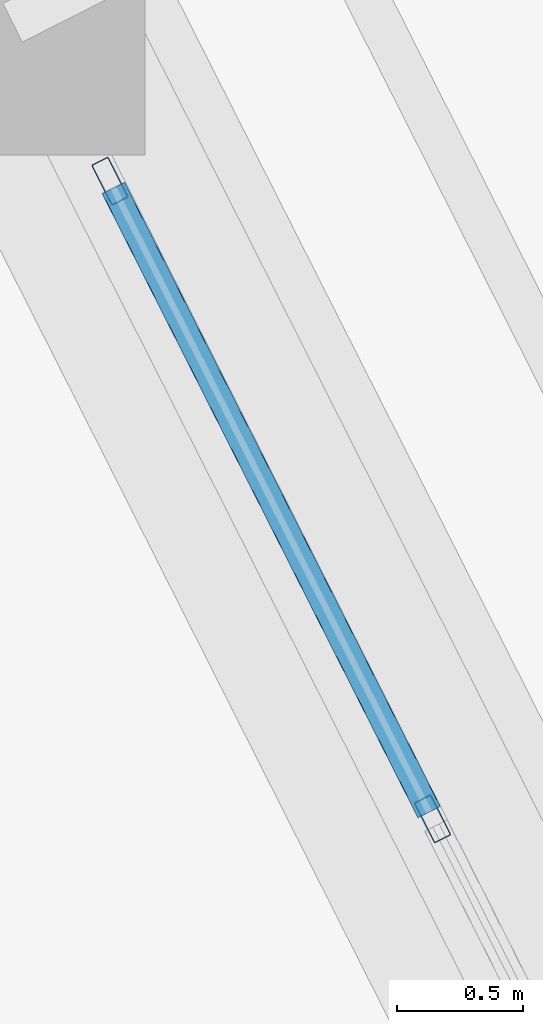
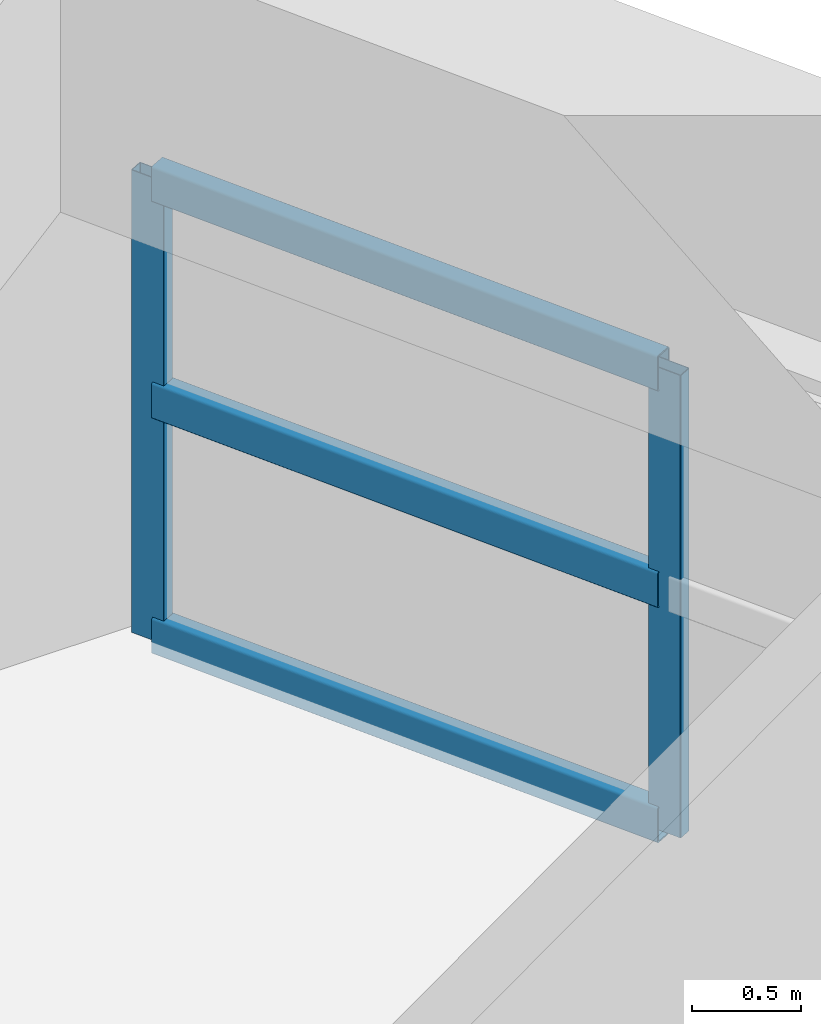
# One storey, part 10 of 23: 5 members, 1 element without a shape of its own.
"""IFC4 building model written with IfcOpenShell, lengths in metres."""

from ifc_helpers import new_model, si_unit, direction, frame, origin, origin_2d, place, context, subcontext, project, spatial, hollow_rectangle, extrude, material, layer, layer_set, material_profile, profile_set, type_object, element, aggregate, save


model = new_model("IFC4")

# Units and contexts
model_context = context("Model", 3, precision=1e-05, world=origin(), true_north=direction((0.0, 1.0)))
body_context = subcontext(model_context, "Body", "Model", "MODEL_VIEW")
ifc_project = project(units=[si_unit("LENGTHUNIT", "METRE"), si_unit("AREAUNIT", "SQUARE_METRE"), si_unit("VOLUMEUNIT", "CUBIC_METRE"), si_unit("PLANEANGLEUNIT", "RADIAN"), si_unit("MASSUNIT", "GRAM", prefix="KILO")], contexts=[model_context])

# Site, building, storey
site_placement = place(None, origin())
site = spatial("IfcSite", under=ifc_project, at=site_placement, CompositionType="ELEMENT")
building_placement = place(site_placement, origin())
building = spatial("IfcBuilding", under=site, at=building_placement, Name="Cinnabar Lancet Tower", CompositionType="ELEMENT")
storey_placement = place(building_placement, frame((0.0, 0.0, 94.199951171875)))
storey = spatial("IfcBuildingStorey", under=building, at=storey_placement, Name="L24", CompositionType="ELEMENT", Elevation=94.199951171875)

# Curtain wall, members
ifc_material_1 = material(Name="Thermally broken bronze-anodized aluminium and low-E glass", Category="aluminium")
ifc_layer = layer(ifc_material_1, 0.179931640625)
ifc_layer_set = layer_set([ifc_layer], Name="Thermally broken bronze-anodized aluminium and low-E glass")
curtain_wall_type = type_object("IfcCurtainWallType", Name="ENV-CW-SYS-03", PredefinedType="NOTDEFINED", material=ifc_layer_set)
curtain_wall_placement = place(storey_placement, origin())
curtain_wall = element("IfcCurtainWall", 1, at=curtain_wall_placement, inside=storey, type_object=curtain_wall_type, Name="L24 Face 3 Feature Curtain Wall", PredefinedType="NOTDEFINED")
ifc_material_2 = material(Name="Anodized architectural aluminium 6063-T6", Category="aluminium")
ifc_material_profile_1 = material_profile(ifc_material_2, hollow_rectangle(XDim=0.074951171875, YDim=0.179931640625, WallThickness=0.00390625, InnerFilletRadius=0.001953125, OuterFilletRadius=0.006103515625, at=origin_2d()), Name="CW-MUL 180x75x4")
ifc_profile_set_1 = profile_set([ifc_material_profile_1], Name="Anodized architectural aluminium 6063-T6")
member_type_1 = type_object("IfcMemberType", Name="ENV-CW-MUL-180", PredefinedType="MULLION", material=ifc_profile_set_1)
member_1_placement = place(storey_placement, frame((53.5234375, 37.535400390625, 0.0), z_axis=(0.0, 0.0, 1.0), x_axis=(-0.892286310468, -0.451469977022, 0.0)))
member_1 = element("IfcMember", 2, at=member_1_placement, type_object=member_type_1, Name="CW-03 mullion 2", PredefinedType="MULLION", context=body_context, shape_type="SweptSolid", body=[
    extrude(hollow_rectangle(XDim=0.074951171875, YDim=0.179931640625, WallThickness=0.00390625, InnerFilletRadius=0.001953125, OuterFilletRadius=0.006103515625, at=origin_2d()), origin(), (0.0, 0.0, 1.0), 2.590087890625),
])
member_2_placement = place(storey_placement, frame((52.24462890625, 40.063232421875, 0.0), z_axis=(0.0, 0.0, 1.0), x_axis=(-0.892286310468, -0.451469977022, 0.0)))
member_2 = element("IfcMember", 3, at=member_2_placement, type_object=member_type_1, Name="CW-03 mullion 3", PredefinedType="MULLION", context=body_context, shape_type="SweptSolid", body=[
    extrude(hollow_rectangle(XDim=0.074951171875, YDim=0.179931640625, WallThickness=0.00390625, InnerFilletRadius=0.001953125, OuterFilletRadius=0.006103515625, at=origin_2d()), origin(), (0.0, 0.0, 1.0), 2.590087890625),
])
ifc_material_3 = material(Name="Anodized architectural aluminium 6063-T6", Category="aluminium")
ifc_material_profile_2 = material_profile(ifc_material_3, hollow_rectangle(XDim=0.10009765625, YDim=0.199951171875, WallThickness=0.008056640625, InnerFilletRadius=0.00390625, OuterFilletRadius=0.011962890625, at=origin_2d()), Name="RHS 200x100x8")
ifc_profile_set_2 = profile_set([ifc_material_profile_2], Name="Anodized architectural aluminium 6063-T6")
member_type_2 = type_object("IfcMemberType", Name="ENV-CW-TRN-140", PredefinedType="USERDEFINED", material=ifc_profile_set_2)
member_3_placement = place(storey_placement, frame((53.510009765625, 37.562255859375, 0.030029296875), z_axis=(-0.451505129985, 0.892268523258, 0.0), x_axis=(-0.892268523258, -0.451505129985, 0.0)))
member_3 = element("IfcMember", 4, at=member_3_placement, type_object=member_type_2, Name="CW-03 transom 2.1", ObjectType="TRANSOM", PredefinedType="USERDEFINED", context=body_context, shape_type="SweptSolid", body=[
    extrude(hollow_rectangle(XDim=0.10009765625, YDim=0.199951171875, WallThickness=0.008056640625, InnerFilletRadius=0.00390625, OuterFilletRadius=0.011962890625, at=origin_2d()), origin(), (0.0, 0.0, 1.0), 2.77294921875),
])
member_4_placement = place(storey_placement, frame((53.510009765625, 37.562255859375, 1.34716796875), z_axis=(-0.451505129985, 0.892268523258, 0.0), x_axis=(-0.892268523258, -0.451505129985, 0.0)))
member_4 = element("IfcMember", 5, at=member_4_placement, type_object=member_type_2, Name="CW-03 transom 2.2", ObjectType="TRANSOM", PredefinedType="USERDEFINED", context=body_context, shape_type="SweptSolid", body=[
    extrude(hollow_rectangle(XDim=0.10009765625, YDim=0.199951171875, WallThickness=0.008056640625, InnerFilletRadius=0.00390625, OuterFilletRadius=0.011962890625, at=origin_2d()), origin(), (0.0, 0.0, 1.0), 2.77294921875),
])
member_5_placement = place(storey_placement, frame((53.510009765625, 37.562255859375, 2.56005859375), z_axis=(-0.451505129985, 0.892268523258, 0.0), x_axis=(-0.892268523258, -0.451505129985, 0.0)))
member_5 = element("IfcMember", 6, at=member_5_placement, type_object=member_type_2, Name="CW-03 transom 2.3", ObjectType="TRANSOM", PredefinedType="USERDEFINED", context=body_context, shape_type="SweptSolid", body=[
    extrude(hollow_rectangle(XDim=0.10009765625, YDim=0.199951171875, WallThickness=0.008056640625, InnerFilletRadius=0.00390625, OuterFilletRadius=0.011962890625, at=origin_2d()), origin(), (0.0, 0.0, 1.0), 2.77294921875),
])
aggregate(curtain_wall, [member_1, member_2, member_3, member_4, member_5])

save(model, "model.ifc")
